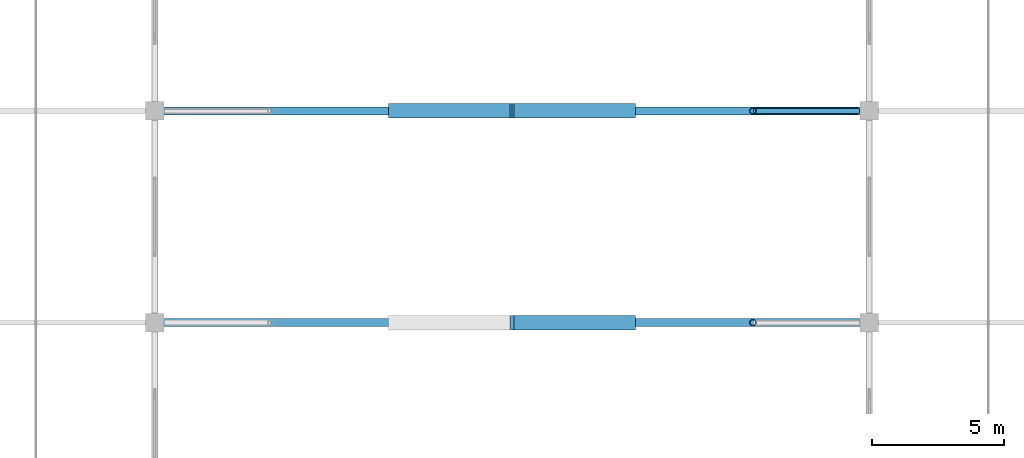
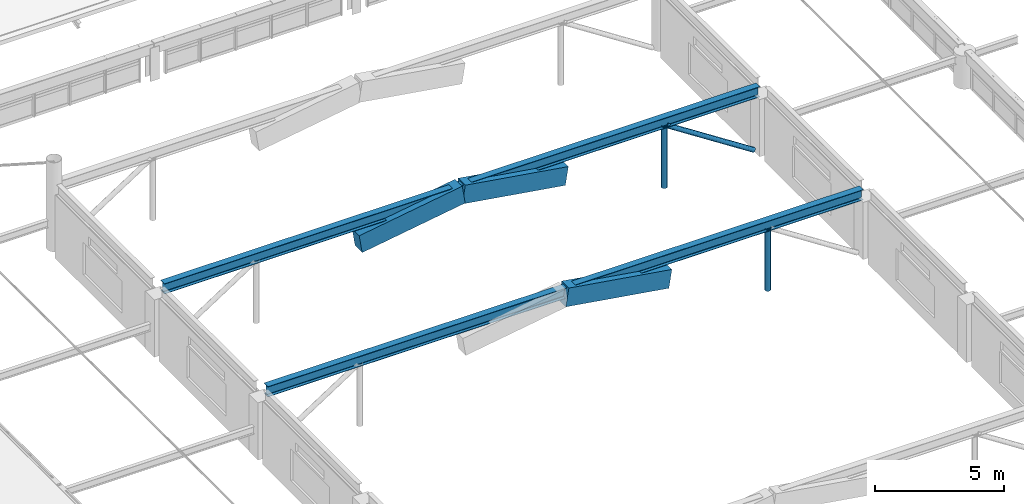
# One storey, part 48 of 128: 5 members, 3 beams.
"""IFC4 building model written with IfcOpenShell, lengths in metres."""

from ifc_helpers import new_model, si_unit, derived_unit, direction, frame, origin, origin_2d, place, context, subcontext, project, spatial, rectangle, hollow_circle, i_section, extrude, material, material_profile, profile_set, type_object, element, save


model = new_model("IFC4")

# Units and contexts
model_context = context("Model", 3, precision=1e-05, world=origin(), true_north=direction((0.0, 1.0)))
body_context = subcontext(model_context, "Body", "Model", "MODEL_VIEW")
ifc_project = project(units=[si_unit("LENGTHUNIT", "METRE"), si_unit("AREAUNIT", "SQUARE_METRE"), si_unit("VOLUMEUNIT", "CUBIC_METRE"), si_unit("PLANEANGLEUNIT", "RADIAN"), si_unit("MASSUNIT", "GRAM", prefix="KILO"), derived_unit("THERMALTRANSMITTANCEUNIT", [(si_unit("MASSUNIT", "GRAM", prefix="KILO"), 1), (si_unit("TIMEUNIT", "SECOND"), -3), (si_unit("THERMODYNAMICTEMPERATUREUNIT", "KELVIN"), -1)])], contexts=[model_context])

# Site, building, storey
site_placement = place(None, origin())
site = spatial("IfcSite", under=ifc_project, at=site_placement, CompositionType="ELEMENT")
building_placement = place(site_placement, origin())
building = spatial("IfcBuilding", under=site, at=building_placement, Name="Zhenchuan Archway Interchange", CompositionType="ELEMENT")
storey_placement = place(building_placement, frame((0.0, 0.0, 14.39990234375)))
storey = spatial("IfcBuildingStorey", under=building, at=storey_placement, Name="L03", CompositionType="ELEMENT", Elevation=14.39990234375)

# Beams
ifc_material_1 = material(Name="Concrete C50", Category="concrete")
ifc_material_profile_1 = material_profile(ifc_material_1, rectangle(XDim=0.550048828125, YDim=0.85009765625, at=origin_2d()), Name="RC 550x850")
ifc_profile_set_1 = profile_set([ifc_material_profile_1], Name="Concrete C50")
beam_type = type_object("IfcBeamType", Name="BM_RC_ARCH_550x850", PredefinedType="BEAM", material=ifc_profile_set_1)
for number, where, z_axis, x_axis, name in (
    (1, (49.501953125, 64.0, 2.77978515625), (0.987636302069, 0.0, -0.156762670416), (0.0, 1.0, 0.0), "Parabolic RC concourse arch A4 segment 4"),
    (2, (44.902099609375, 72.0, 2.05029296875), (0.987636302069, 0.0, 0.156762670416), (0.0, 1.0, 0.0), "Parabolic RC concourse arch A5 segment 3"),
    (3, (49.501953125, 72.0, 2.77978515625), (0.987636302069, 0.0, -0.156762670416), (0.0, 1.0, 0.0), "Parabolic RC concourse arch A5 segment 4"),
):
    element("IfcBeam", number, at=place(storey_placement, frame(where, z_axis=z_axis, x_axis=x_axis)), inside=storey, type_object=beam_type, Name=name, PredefinedType="BEAM", context=body_context, shape_type="SweptSolid", body=[
        extrude(rectangle(XDim=0.550048828125, YDim=0.85009765625, at=origin_2d()), origin(), (0.0, 0.0, 1.0), 4.653564453125),
    ])

# Members
ifc_material_2 = material(Name="Steel Q390", Category="steel")
ifc_material_profile_2 = material_profile(ifc_material_2, i_section(OverallWidth=0.300048828125, OverallDepth=0.488037109375, WebThickness=0.010986328125, FlangeThickness=0.01806640625, FilletRadius=0.02197265625, at=origin_2d()), Name="HM 488x300")
ifc_profile_set_2 = profile_set([ifc_material_profile_2], Name="Steel Q390")
member_type_1 = type_object("IfcMemberType", Name="MB_CHD_HM488", PredefinedType="CHORD", material=ifc_profile_set_2)
for number, where, z_axis, x_axis, name in (
    (4, (36.219970703125, 64.0, 2.900146484375), (1.0, 0.0, 0.0), (0.0, 1.0, 0.0), "ROOF TRUSS concourse arch A4 clerestory tie girder"),
    (5, (36.219970703125, 72.0, 2.900146484375), (1.0, 0.0, 0.0), (0.0, 1.0, 0.0), "ROOF TRUSS concourse arch A5 clerestory tie girder"),
):
    element("IfcMember", number, at=place(storey_placement, frame(where, z_axis=z_axis, x_axis=x_axis)), inside=storey, type_object=member_type_1, Name=name, PredefinedType="CHORD", context=body_context, shape_type="SweptSolid", body=[
        extrude(i_section(OverallWidth=0.300048828125, OverallDepth=0.488037109375, WebThickness=0.010986328125, FlangeThickness=0.01806640625, FilletRadius=0.02197265625, at=origin_2d()), origin(), (0.0, 0.0, 1.0), 26.56005859375),
    ])
ifc_material_3 = material(Name="Steel Q355", Category="steel")
ifc_material_profile_3 = material_profile(ifc_material_3, hollow_circle(Radius=0.109619140625, WallThickness=0.008056640625, at=origin_2d()), Name="CHS 219x8")
ifc_profile_set_3 = profile_set([ifc_material_profile_3], Name="Steel Q355")
member_type_2 = type_object("IfcMemberType", Name="MB_CHS219", PredefinedType="BRACE", material=ifc_profile_set_3)
member_placement = place(storey_placement, frame((62.580078125, 72.0, 0.150146484375), z_axis=(-0.838941198119, 0.0, 0.544222074248), x_axis=(0.0, -1.0, 0.0)))
element("IfcMember", 6, at=member_placement, inside=storey, type_object=member_type_2, Name="ROOF TRUSS concourse arch A5 east spandrel diagonal", PredefinedType="BRACE", context=body_context, shape_type="SweptSolid", body=[
    extrude(hollow_circle(Radius=0.109619140625, WallThickness=0.008056640625, at=origin_2d()), origin(), (0.0, 0.0, 1.0), 4.64892578125),
])
ifc_material_profile_4 = material_profile(ifc_material_3, hollow_circle(Radius=0.12255859375, WallThickness=0.010009765625, at=origin_2d()), Name="CHS 245x10")
ifc_profile_set_4 = profile_set([ifc_material_profile_4], Name="Steel Q355")
member_type_3 = type_object("IfcMemberType", Name="MB_CHS245", PredefinedType="BRACE", material=ifc_profile_set_4)
for number, where, z_axis, x_axis, name in (
    (7, (58.60009765625, 64.0, -0.199951171875), (0.0, 0.0, 1.0), (1.0, 0.0, 0.0), "ROOF TRUSS concourse arch A4 spandrel post 5"),
    (8, (58.60009765625, 72.0, -0.199951171875), (0.0, 0.0, 1.0), (1.0, 0.0, 0.0), "ROOF TRUSS concourse arch A5 spandrel post 5"),
):
    element("IfcMember", number, at=place(storey_placement, frame(where, z_axis=z_axis, x_axis=x_axis)), inside=storey, type_object=member_type_3, Name=name, PredefinedType="BRACE", context=body_context, shape_type="SweptSolid", body=[
        extrude(hollow_circle(Radius=0.12255859375, WallThickness=0.010009765625, at=origin_2d()), origin(), (0.0, 0.0, 1.0), 2.920166015625),
    ])

save(model, "model.ifc")
